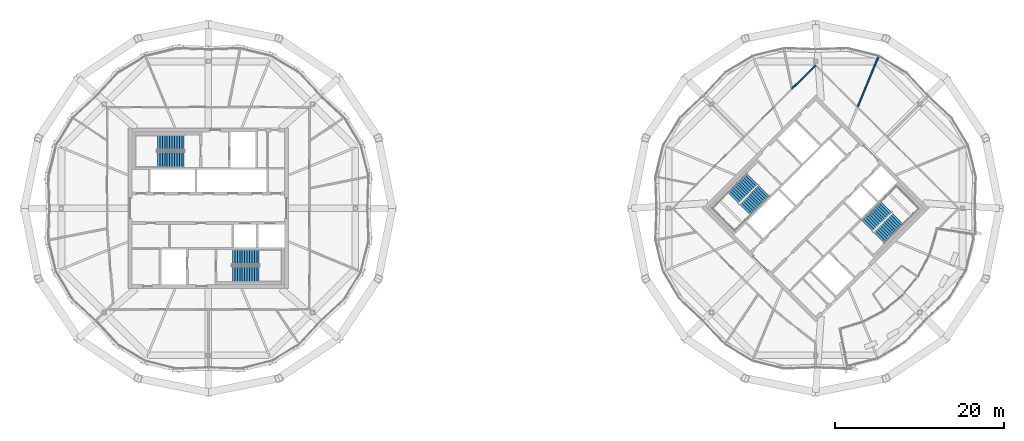
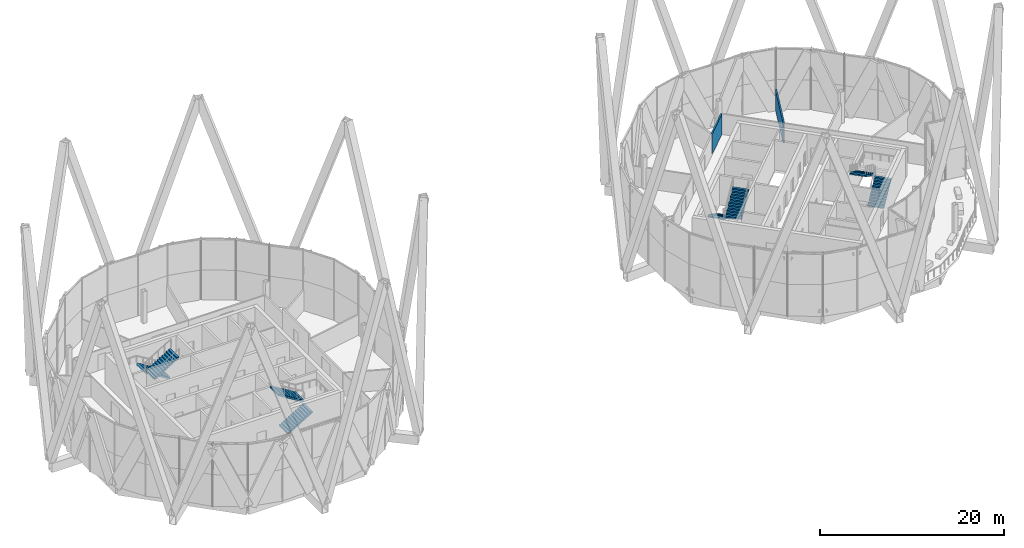
# One storey, part 35 of 38: 8 stair flights, 2 walls, 4 elements without a shape of their own.
"""IFC4 building model written with IfcOpenShell, lengths in metres."""

from ifc_helpers import new_model, si_unit, direction, frame, frame_2d, origin, place, context, subcontext, project, spatial, polyline, rectangle, outline, extrude, material, layer, layer_set, type_object, element, aggregate, save


model = new_model("IFC4")

# Units and contexts
model_context = context("Model", 3, precision=1e-05, world=origin(), true_north=direction((0.0, 1.0)))
body_context = subcontext(model_context, "Body", "Model", "MODEL_VIEW")
ifc_project = project(units=[si_unit("LENGTHUNIT", "METRE"), si_unit("AREAUNIT", "SQUARE_METRE"), si_unit("VOLUMEUNIT", "CUBIC_METRE"), si_unit("PLANEANGLEUNIT", "RADIAN"), si_unit("MASSUNIT", "GRAM", prefix="KILO")], contexts=[model_context])

# Site, building, storey
site_placement = place(None, origin())
site = spatial("IfcSite", under=ifc_project, at=site_placement, CompositionType="ELEMENT")
building_placement = place(site_placement, origin())
building = spatial("IfcBuilding", under=site, at=building_placement, Name="Ogive Gate Towers", CompositionType="ELEMENT")
storey_placement = place(building_placement, frame((0.0, 0.0, 268.800048828125)))
storey = spatial("IfcBuildingStorey", under=building, at=storey_placement, Name="L63", CompositionType="ELEMENT", Elevation=268.800048828125)

# Walls
ifc_material_1 = material(Name="Gypsum board acoustic partition")
ifc_layer = layer(ifc_material_1, 0.175048828125)
ifc_layer_set = layer_set([ifc_layer], Name="Acoustic partition 175")
wall_type = type_object("IfcWallType", Name="Acoustic partition 175", PredefinedType="PARTITIONING", material=ifc_layer_set)
wall_1_placement = place(storey_placement, frame((43.447021484375, 17.978759765625, 0.0), z_axis=(0.0, 0.0, 1.0), x_axis=(-0.382688548773, -0.923877413209, 0.0)))
element("IfcWall", 1, at=wall_1_placement, inside=storey, type_object=wall_type, Name="Partition T2-L63-003", PredefinedType="PARTITIONING", context=body_context, shape_type="SweptSolid", body=[
    extrude(rectangle(XDim=6.381591796875, YDim=0.175048828125, at=frame_2d((3.19091796875, 0.0))), origin(), (0.0, 0.0, 1.0), 2.699951171875),
])
wall_2_placement = place(storey_placement, frame((33.189697265625, 14.164306640625, 0.0), z_axis=(0.0, 0.0, 1.0), x_axis=(0.711172636277, 0.703017411884, 0.0)))
element("IfcWall", 2, at=wall_2_placement, inside=storey, type_object=wall_type, Name="Partition T2-L63-023", PredefinedType="PARTITIONING", context=body_context, shape_type="SweptSolid", body=[
    extrude(rectangle(XDim=3.95166015625, YDim=0.175048828125, at=frame_2d((1.975830078125, 0.0))), origin(), (0.0, 0.0, 1.0), 2.699951171875),
])

# Stair, stair flights
ifc_material_2 = material(Name="Concrete C40/50", Category="concrete")
stair_type = type_object("IfcStairType", Name="Escape stair 1840 wide", PredefinedType="HALF_TURN_STAIR", material=ifc_material_2)
stair_1_placement = place(storey_placement, origin())
stair_1 = element("IfcStair", 3, at=stair_1_placement, inside=storey, type_object=stair_type, Name="L63 Escape stair 1", PredefinedType="HALF_TURN_STAIR")
stair_flight_type = type_object("IfcStairFlightType", Name="Stair flight 1840 wide", PredefinedType="STRAIGHT", material=ifc_material_2)
stair_flight_1_placement = place(storey_placement, frame((-38.864990234375, 7.780029296875, 0.0), z_axis=(0.0, 0.0, 1.0), x_axis=(-1.0, 0.0, 0.0)))
stair_flight_1 = element("IfcStairFlight", 4, at=stair_flight_1_placement, type_object=stair_flight_type, Name="ST1 flight 1", NumberOfRisers=12, NumberOfTreads=11, PredefinedType="STRAIGHT", RiserHeight=0.175, TreadLength=0.2875, context=body_context, shape_type="SweptSolid", body=[
    extrude(outline(polyline([(0.0, 0.0), (0.0, 0.175048828125), (0.28759765625, 0.175048828125), (0.28759765625, 0.35009765625), (0.574951171875, 0.35009765625), (0.574951171875, 0.52490234375), (0.862548828125, 0.52490234375), (0.862548828125, 0.699951171875), (1.14990234375, 0.699951171875), (1.14990234375, 0.875), (1.4375, 0.875), (1.4375, 1.050048828125), (1.72509765625, 1.050048828125), (1.72509765625, 1.22509765625), (2.012451171875, 1.22509765625), (2.012451171875, 1.39990234375), (2.300048828125, 1.39990234375), (2.300048828125, 1.574951171875), (2.58740234375, 1.574951171875), (2.58740234375, 1.75), (2.875, 1.75), (2.875, 1.925048828125), (3.16259765625, 1.925048828125), (3.16259765625, 2.10009765625), (3.16259765625, 1.74951171875), (0.288330078125, 0.0), (0.0, 0.0)])), frame((0.0, 0.919921875, 0.0), z_axis=(0.0, -1.0, 0.0), x_axis=(1.0, 0.0, 0.0)), (0.0, 0.0, 1.0), 1.840087890625),
])
stair_flight_2_placement = place(storey_placement, frame((-42.027587890625, 5.794921875, 2.099853515625), z_axis=(0.0, 0.0, 1.0), x_axis=(1.0, 0.0, 0.0)))
stair_flight_2 = element("IfcStairFlight", 5, at=stair_flight_2_placement, type_object=stair_flight_type, Name="ST1 flight 2", NumberOfRisers=12, NumberOfTreads=11, PredefinedType="STRAIGHT", RiserHeight=0.175, TreadLength=0.2875, context=body_context, shape_type="SweptSolid", body=[
    extrude(outline(polyline([(0.0, 0.0), (0.0, 0.175048828125), (0.28759765625, 0.175048828125), (0.28759765625, 0.35009765625), (0.574951171875, 0.35009765625), (0.574951171875, 0.52490234375), (0.862548828125, 0.52490234375), (0.862548828125, 0.699951171875), (1.14990234375, 0.699951171875), (1.14990234375, 0.875), (1.4375, 0.875), (1.4375, 1.050048828125), (1.72509765625, 1.050048828125), (1.72509765625, 1.22509765625), (2.012451171875, 1.22509765625), (2.012451171875, 1.39990234375), (2.300048828125, 1.39990234375), (2.300048828125, 1.574951171875), (2.58740234375, 1.574951171875), (2.58740234375, 1.75), (2.875, 1.75), (2.875, 1.925048828125), (3.16259765625, 1.925048828125), (3.16259765625, 2.10009765625), (3.16259765625, 1.74951171875), (0.288330078125, 0.0), (0.0, 0.0)])), frame((0.0, 0.919921875, 0.0), z_axis=(0.0, -1.0, 0.0), x_axis=(1.0, 0.0, 0.0)), (0.0, 0.0, 1.0), 1.840087890625),
])
aggregate(stair_1, [stair_flight_1, stair_flight_2])

stair_2_placement = place(storey_placement, origin())
stair_2 = element("IfcStair", 6, at=stair_2_placement, inside=storey, type_object=stair_type, Name="L63 Escape stair 2", PredefinedType="HALF_TURN_STAIR")
stair_flight_3_placement = place(storey_placement, frame((-33.135009765625, -7.780029296875, 0.0), z_axis=(0.0, 0.0, 1.0), x_axis=(1.0, 0.0, 0.0)))
stair_flight_3 = element("IfcStairFlight", 7, at=stair_flight_3_placement, type_object=stair_flight_type, Name="ST2 flight 1", NumberOfRisers=12, NumberOfTreads=11, PredefinedType="STRAIGHT", RiserHeight=0.175, TreadLength=0.2875, context=body_context, shape_type="SweptSolid", body=[
    extrude(outline(polyline([(0.0, 0.0), (0.0, 0.175048828125), (0.28759765625, 0.175048828125), (0.28759765625, 0.35009765625), (0.574951171875, 0.35009765625), (0.574951171875, 0.52490234375), (0.862548828125, 0.52490234375), (0.862548828125, 0.699951171875), (1.14990234375, 0.699951171875), (1.14990234375, 0.875), (1.4375, 0.875), (1.4375, 1.050048828125), (1.72509765625, 1.050048828125), (1.72509765625, 1.22509765625), (2.012451171875, 1.22509765625), (2.012451171875, 1.39990234375), (2.300048828125, 1.39990234375), (2.300048828125, 1.574951171875), (2.58740234375, 1.574951171875), (2.58740234375, 1.75), (2.875, 1.75), (2.875, 1.925048828125), (3.16259765625, 1.925048828125), (3.16259765625, 2.10009765625), (3.16259765625, 1.74951171875), (0.288330078125, 0.0), (0.0, 0.0)])), frame((0.0, 0.919921875, 0.0), z_axis=(0.0, -1.0, 0.0), x_axis=(1.0, 0.0, 0.0)), (0.0, 0.0, 1.0), 1.840087890625),
])
stair_flight_4_placement = place(storey_placement, frame((-29.972412109375, -5.794921875, 2.099853515625), z_axis=(0.0, 0.0, 1.0), x_axis=(-1.0, 0.0, 0.0)))
stair_flight_4 = element("IfcStairFlight", 8, at=stair_flight_4_placement, type_object=stair_flight_type, Name="ST2 flight 2", NumberOfRisers=12, NumberOfTreads=11, PredefinedType="STRAIGHT", RiserHeight=0.175, TreadLength=0.2875, context=body_context, shape_type="SweptSolid", body=[
    extrude(outline(polyline([(0.0, 0.0), (0.0, 0.175048828125), (0.28759765625, 0.175048828125), (0.28759765625, 0.35009765625), (0.574951171875, 0.35009765625), (0.574951171875, 0.52490234375), (0.862548828125, 0.52490234375), (0.862548828125, 0.699951171875), (1.14990234375, 0.699951171875), (1.14990234375, 0.875), (1.4375, 0.875), (1.4375, 1.050048828125), (1.72509765625, 1.050048828125), (1.72509765625, 1.22509765625), (2.012451171875, 1.22509765625), (2.012451171875, 1.39990234375), (2.300048828125, 1.39990234375), (2.300048828125, 1.574951171875), (2.58740234375, 1.574951171875), (2.58740234375, 1.75), (2.875, 1.75), (2.875, 1.925048828125), (3.16259765625, 1.925048828125), (3.16259765625, 2.10009765625), (3.16259765625, 1.74951171875), (0.288330078125, 0.0), (0.0, 0.0)])), frame((0.0, 0.919921875, 0.0), z_axis=(0.0, -1.0, 0.0), x_axis=(1.0, 0.0, 0.0)), (0.0, 0.0, 1.0), 1.840087890625),
])
aggregate(stair_2, [stair_flight_3, stair_flight_4])

stair_3_placement = place(storey_placement, origin())
stair_3 = element("IfcStair", 9, at=stair_3_placement, inside=storey, type_object=stair_type, Name="L63 Escape stair 1", PredefinedType="HALF_TURN_STAIR")
stair_flight_5_placement = place(storey_placement, frame((28.472900390625, 3.475341796875, 0.0), z_axis=(0.0, 0.0, 1.0), x_axis=(-0.707106781187, -0.707106781187, 0.0)))
stair_flight_5 = element("IfcStairFlight", 10, at=stair_flight_5_placement, type_object=stair_flight_type, Name="ST1 flight 1", NumberOfRisers=12, NumberOfTreads=11, PredefinedType="STRAIGHT", RiserHeight=0.175, TreadLength=0.2875, context=body_context, shape_type="SweptSolid", body=[
    extrude(outline(polyline([(0.0, 0.0), (0.0, 0.175048828125), (0.28759765625, 0.175048828125), (0.28759765625, 0.35009765625), (0.574951171875, 0.35009765625), (0.574951171875, 0.52490234375), (0.862548828125, 0.52490234375), (0.862548828125, 0.699951171875), (1.14990234375, 0.699951171875), (1.14990234375, 0.875), (1.4375, 0.875), (1.4375, 1.050048828125), (1.72509765625, 1.050048828125), (1.72509765625, 1.22509765625), (2.012451171875, 1.22509765625), (2.012451171875, 1.39990234375), (2.300048828125, 1.39990234375), (2.300048828125, 1.574951171875), (2.58740234375, 1.574951171875), (2.58740234375, 1.75), (2.875, 1.75), (2.875, 1.925048828125), (3.16259765625, 1.925048828125), (3.16259765625, 2.10009765625), (3.16259765625, 1.74951171875), (0.288330078125, 0.0), (0.0, 0.0)])), frame((0.0, 0.919921875, 0.0), z_axis=(0.0, -1.0, 0.0), x_axis=(1.0, 0.0, 0.0)), (0.0, 0.0, 1.0), 1.840087890625),
])
stair_flight_6_placement = place(storey_placement, frame((27.64013671875, -0.164306640625, 2.099853515625), z_axis=(0.0, 0.0, 1.0), x_axis=(0.707106781187, 0.707106781187, 0.0)))
stair_flight_6 = element("IfcStairFlight", 11, at=stair_flight_6_placement, type_object=stair_flight_type, Name="ST1 flight 2", NumberOfRisers=12, NumberOfTreads=11, PredefinedType="STRAIGHT", RiserHeight=0.175, TreadLength=0.2875, context=body_context, shape_type="SweptSolid", body=[
    extrude(outline(polyline([(0.0, 0.0), (0.0, 0.175048828125), (0.28759765625, 0.175048828125), (0.28759765625, 0.35009765625), (0.574951171875, 0.35009765625), (0.574951171875, 0.52490234375), (0.862548828125, 0.52490234375), (0.862548828125, 0.699951171875), (1.14990234375, 0.699951171875), (1.14990234375, 0.875), (1.4375, 0.875), (1.4375, 1.050048828125), (1.72509765625, 1.050048828125), (1.72509765625, 1.22509765625), (2.012451171875, 1.22509765625), (2.012451171875, 1.39990234375), (2.300048828125, 1.39990234375), (2.300048828125, 1.574951171875), (2.58740234375, 1.574951171875), (2.58740234375, 1.75), (2.875, 1.75), (2.875, 1.925048828125), (3.16259765625, 1.925048828125), (3.16259765625, 2.10009765625), (3.16259765625, 1.74951171875), (0.288330078125, 0.0), (0.0, 0.0)])), frame((0.0, 0.919921875, 0.0), z_axis=(0.0, -1.0, 0.0), x_axis=(1.0, 0.0, 0.0)), (0.0, 0.0, 1.0), 1.840087890625),
])
aggregate(stair_3, [stair_flight_5, stair_flight_6])

stair_4_placement = place(storey_placement, origin())
stair_4 = element("IfcStair", 12, at=stair_4_placement, inside=storey, type_object=stair_type, Name="L63 Escape stair 2", PredefinedType="HALF_TURN_STAIR")
stair_flight_7_placement = place(storey_placement, frame((43.527099609375, -3.475341796875, 0.0), z_axis=(0.0, 0.0, 1.0), x_axis=(0.707106781187, 0.707106781187, 0.0)))
stair_flight_7 = element("IfcStairFlight", 13, at=stair_flight_7_placement, type_object=stair_flight_type, Name="ST2 flight 1", NumberOfRisers=12, NumberOfTreads=11, PredefinedType="STRAIGHT", RiserHeight=0.175, TreadLength=0.2875, context=body_context, shape_type="SweptSolid", body=[
    extrude(outline(polyline([(0.0, 0.0), (0.0, 0.175048828125), (0.28759765625, 0.175048828125), (0.28759765625, 0.35009765625), (0.574951171875, 0.35009765625), (0.574951171875, 0.52490234375), (0.862548828125, 0.52490234375), (0.862548828125, 0.699951171875), (1.14990234375, 0.699951171875), (1.14990234375, 0.875), (1.4375, 0.875), (1.4375, 1.050048828125), (1.72509765625, 1.050048828125), (1.72509765625, 1.22509765625), (2.012451171875, 1.22509765625), (2.012451171875, 1.39990234375), (2.300048828125, 1.39990234375), (2.300048828125, 1.574951171875), (2.58740234375, 1.574951171875), (2.58740234375, 1.75), (2.875, 1.75), (2.875, 1.925048828125), (3.16259765625, 1.925048828125), (3.16259765625, 2.10009765625), (3.16259765625, 1.74951171875), (0.288330078125, 0.0), (0.0, 0.0)])), frame((0.0, 0.919921875, 0.0), z_axis=(0.0, -1.0, 0.0), x_axis=(1.0, 0.0, 0.0)), (0.0, 0.0, 1.0), 1.840087890625),
])
stair_flight_8_placement = place(storey_placement, frame((44.35986328125, 0.164306640625, 2.099853515625), z_axis=(0.0, 0.0, 1.0), x_axis=(-0.707106781187, -0.707106781187, 0.0)))
stair_flight_8 = element("IfcStairFlight", 14, at=stair_flight_8_placement, type_object=stair_flight_type, Name="ST2 flight 2", NumberOfRisers=12, NumberOfTreads=11, PredefinedType="STRAIGHT", RiserHeight=0.175, TreadLength=0.2875, context=body_context, shape_type="SweptSolid", body=[
    extrude(outline(polyline([(0.0, 0.0), (0.0, 0.175048828125), (0.28759765625, 0.175048828125), (0.28759765625, 0.35009765625), (0.574951171875, 0.35009765625), (0.574951171875, 0.52490234375), (0.862548828125, 0.52490234375), (0.862548828125, 0.699951171875), (1.14990234375, 0.699951171875), (1.14990234375, 0.875), (1.4375, 0.875), (1.4375, 1.050048828125), (1.72509765625, 1.050048828125), (1.72509765625, 1.22509765625), (2.012451171875, 1.22509765625), (2.012451171875, 1.39990234375), (2.300048828125, 1.39990234375), (2.300048828125, 1.574951171875), (2.58740234375, 1.574951171875), (2.58740234375, 1.75), (2.875, 1.75), (2.875, 1.925048828125), (3.16259765625, 1.925048828125), (3.16259765625, 2.10009765625), (3.16259765625, 1.74951171875), (0.288330078125, 0.0), (0.0, 0.0)])), frame((0.0, 0.919921875, 0.0), z_axis=(0.0, -1.0, 0.0), x_axis=(1.0, 0.0, 0.0)), (0.0, 0.0, 1.0), 1.840087890625),
])
aggregate(stair_4, [stair_flight_7, stair_flight_8])

save(model, "model.ifc")
